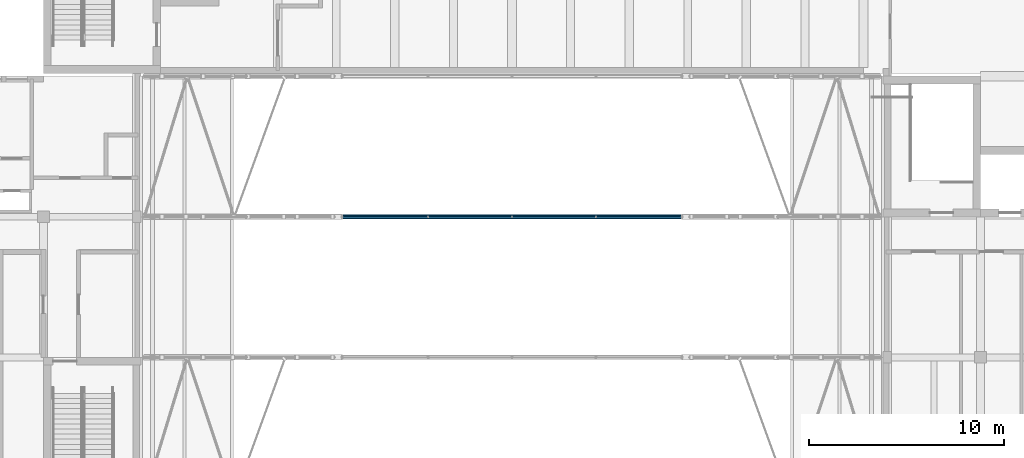
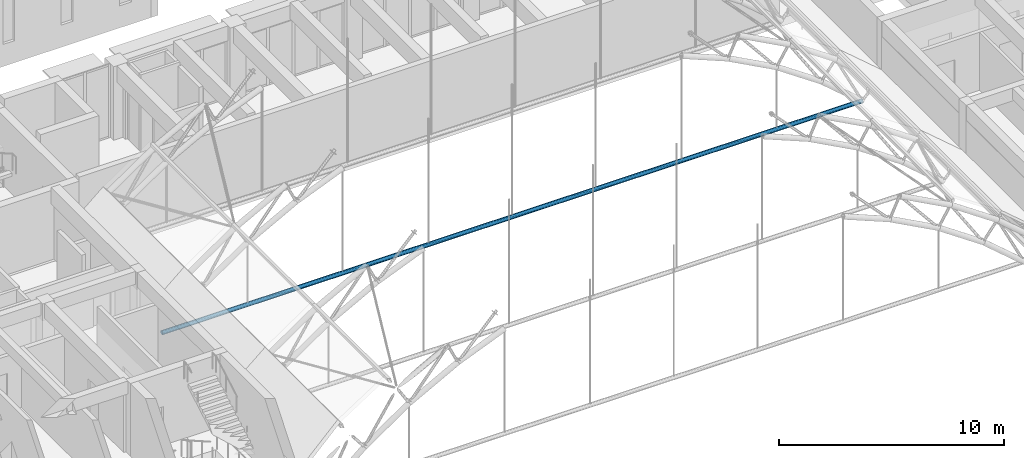
# One storey, part 17 of 101: 1 member.
"""IFC4 building model written with IfcOpenShell, lengths in metres."""

from ifc_helpers import new_model, si_unit, direction, frame, origin, origin_2d, place, context, subcontext, project, spatial, hollow_circle, extrude, material, material_profile, profile_set, type_object, element, save


model = new_model("IFC4")

# Units and contexts
model_context = context("Model", 3, precision=1e-05, world=origin(), true_north=direction((0.0, 1.0)))
body_context = subcontext(model_context, "Body", "Model", "MODEL_VIEW")
ifc_project = project(units=[si_unit("LENGTHUNIT", "METRE"), si_unit("AREAUNIT", "SQUARE_METRE"), si_unit("VOLUMEUNIT", "CUBIC_METRE"), si_unit("PLANEANGLEUNIT", "RADIAN"), si_unit("MASSUNIT", "GRAM", prefix="KILO")], contexts=[model_context])

# Site, building, storey
site_placement = place(None, origin())
site = spatial("IfcSite", under=ifc_project, at=site_placement, CompositionType="ELEMENT")
building_placement = place(site_placement, origin())
building = spatial("IfcBuilding", under=site, at=building_placement, Name="Laocheng Heights Fire and Rescue Headquarters", CompositionType="ELEMENT")
storey_placement = place(building_placement, frame((0.0, 0.0, 8.39990234375)))
storey = spatial("IfcBuildingStorey", under=building, at=storey_placement, Name="L02", CompositionType="ELEMENT", Elevation=8.39990234375)

# Member
ifc_material = material(Name="Steel Q355B", Category="steel")
ifc_material_profile = material_profile(ifc_material, hollow_circle(Radius=0.109619140625, WallThickness=0.010009765625, at=origin_2d()), Name="CHS 219x10")
ifc_profile_set = profile_set([ifc_material_profile], Name="Steel Q355B")
member_type = type_object("IfcMemberType", Name="BAY ROOF TIE CHS 219x10", PredefinedType="CHORD", material=ifc_profile_set)
member_placement = place(storey_placement, frame((18.0, 14.39990234375, 0.0), z_axis=(1.0, 0.0, 0.0), x_axis=(0.0, 1.0, 0.0)))
element("IfcMember", 1, at=member_placement, inside=storey, type_object=member_type, Name="Truss TR3 tie", PredefinedType="CHORD", context=body_context, shape_type="SweptSolid", body=[
    extrude(hollow_circle(Radius=0.109619140625, WallThickness=0.010009765625, at=origin_2d()), origin(), (0.0, 0.0, 1.0), 36.0),
])

save(model, "model.ifc")
